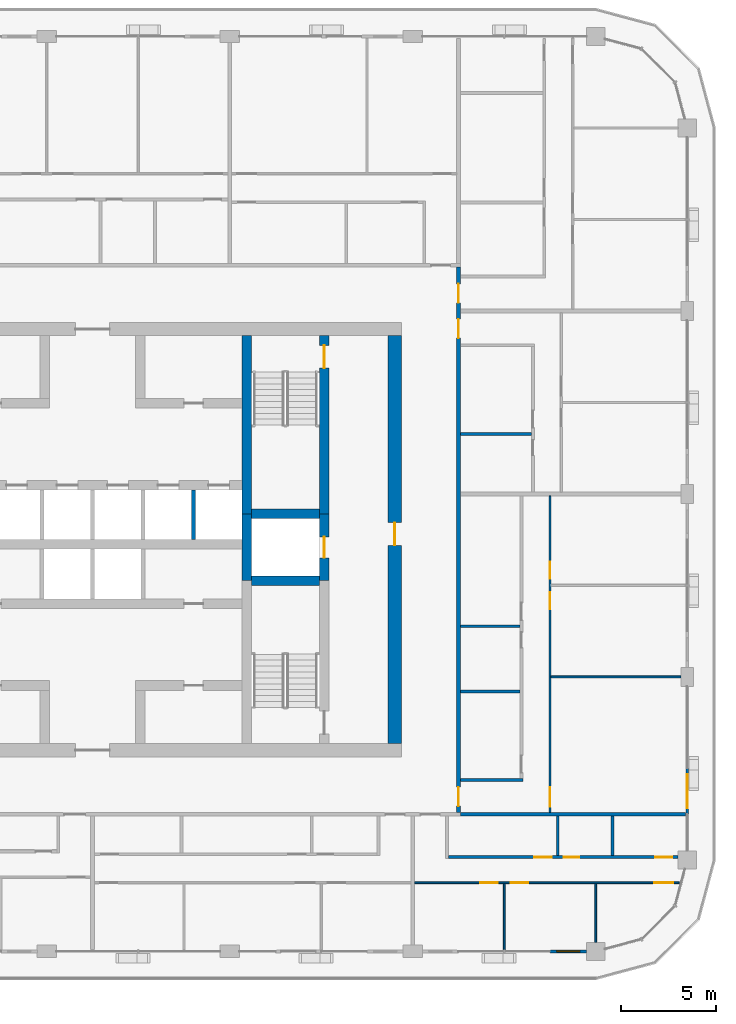
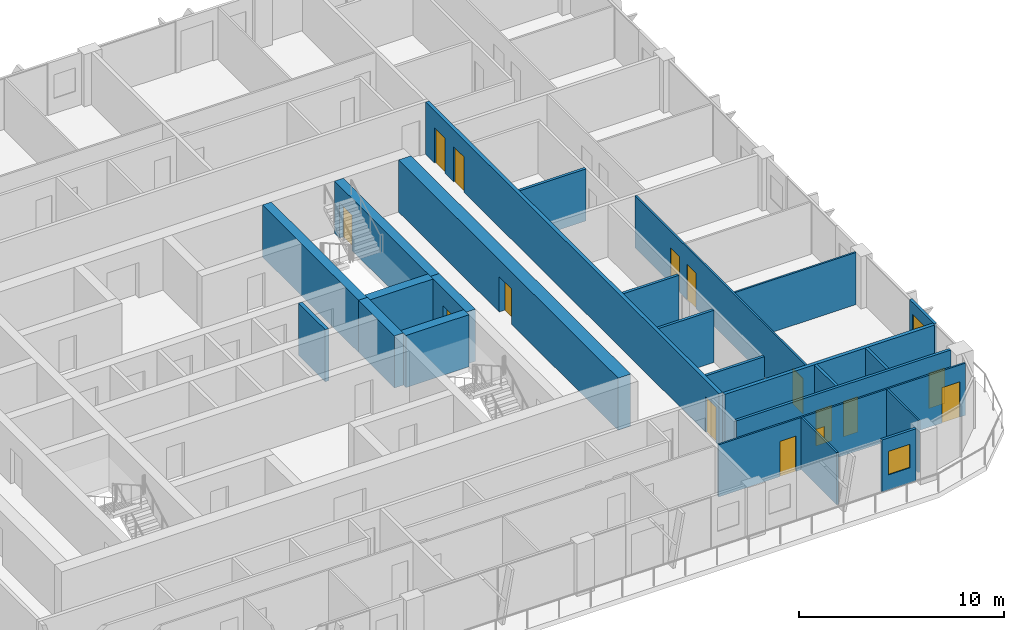
# One storey, part 12 of 22: 24 walls, 16 doors, 1 window, 17 openings.
"""IFC4 building model written with IfcOpenShell, lengths in metres."""

import ifcopenshell
import ifcopenshell.guid

model = None  # the IFC model being written
_history = None  # IfcOwnerHistory: only IFC2X3 demands one
_inside = {}  # id of a spatial element -> (the spatial element, [elements in it])
_under = {}  # id of a project, library or spatial element -> (it, [spatial elements below it])
_declared = {}  # id of a project -> (the project, [libraries it declares])
_typed = {}  # id of a type object -> (the type object, [elements of that type])
_made_of = {}  # id of a material, layer set ... -> (it, [elements and type objects made of it])


def new_model(schema):
    """Start an empty IFC model of exactly this schema.

    Asked for "IFC4X3", IfcOpenShell would pick the latest addendum, in which some entities
    have other attributes; the version numbers below select the first issue.
    IFC2X3 requires an IfcOwnerHistory on every rooted entity: one is made here for all.
    """
    global model, _history
    if schema == "IFC4X3":
        model = ifcopenshell.file(schema_version=(4, 3, 0, 0))
    else:
        model = ifcopenshell.file(schema=schema)
    _inside.clear()
    _under.clear()
    _declared.clear()
    _typed.clear()
    _made_of.clear()
    _history = None
    if model.schema == "IFC2X3":
        org = make("IfcOrganization", Name="unknown")
        user = make(
            "IfcPersonAndOrganization",
            ThePerson=make("IfcPerson", FamilyName="unknown"),
            TheOrganization=org,
        )
        app = make(
            "IfcApplication",
            ApplicationDeveloper=org,
            Version="unknown",
            ApplicationFullName="unknown",
            ApplicationIdentifier="unknown",
        )
        _history = make(
            "IfcOwnerHistory",
            OwningUser=user,
            OwningApplication=app,
            ChangeAction="ADDED",
            CreationDate=0,
        )
    return model


def make(cls, **values):
    """One entity of the class cls with the attributes given. An attribute that is None is left unset."""
    return model.create_entity(
        cls, **{name: value for name, value in values.items() if value is not None}
    )


def rooted(cls, **values):
    """An entity with a GlobalId (a new one), such as an element, a storey or a relation."""
    return make(cls, GlobalId=ifcopenshell.guid.new(), OwnerHistory=_history, **values)


def si_unit(unit_type, name, prefix=None):
    """IfcSIUnit, for example si_unit("LENGTHUNIT", "METRE", prefix="MILLI")."""
    return make("IfcSIUnit", UnitType=unit_type, Prefix=prefix, Name=name)


def assignment(units):
    """IfcUnitAssignment: the units of a project."""
    return None if units is None else make("IfcUnitAssignment", Units=units)


def point(xyz):
    """IfcCartesianPoint."""
    return None if xyz is None else make("IfcCartesianPoint", Coordinates=xyz)


def direction(xyz):
    """IfcDirection."""
    return None if xyz is None else make("IfcDirection", DirectionRatios=xyz)


def frame(location, z_axis=None, x_axis=None):
    """IfcAxis2Placement3D, a coordinate frame: its origin and axes. An axis left out is left unset."""
    return make(
        "IfcAxis2Placement3D",
        Location=point(location),
        Axis=direction(z_axis),
        RefDirection=direction(x_axis),
    )


def frame_2d(location, x_axis=None):
    """IfcAxis2Placement2D, a coordinate frame in the plane: its origin and x axis."""
    return make(
        "IfcAxis2Placement2D", Location=point(location), RefDirection=direction(x_axis)
    )


def origin():
    """The frame at (0, 0, 0) with its axes left unset."""
    return frame((0.0, 0.0, 0.0))


def place(relative_to, where):
    """IfcLocalPlacement: puts the frame where relative to a parent placement (None: the world)."""
    return make(
        "IfcLocalPlacement", PlacementRelTo=relative_to, RelativePlacement=where
    )


def context(
    kind, dimensions, precision=None, world=None, true_north=None, identifier=None
):
    """IfcGeometricRepresentationContext, for example the 3D "Model" context."""
    return make(
        "IfcGeometricRepresentationContext",
        ContextIdentifier=identifier,
        ContextType=kind,
        CoordinateSpaceDimension=dimensions,
        Precision=precision,
        WorldCoordinateSystem=world,
        TrueNorth=true_north,
    )


def subcontext(parent, identifier, kind, view, scale=None):
    """IfcGeometricRepresentationSubContext, for example "Body" below "Model"."""
    return make(
        "IfcGeometricRepresentationSubContext",
        ContextIdentifier=identifier,
        ContextType=kind,
        ParentContext=parent,
        TargetScale=scale,
        TargetView=view,
    )


def project(units=None, contexts=None):
    """IfcProject with its units and contexts."""
    return rooted(
        "IfcProject",
        Name="project",
        RepresentationContexts=contexts,
        UnitsInContext=assignment(units),
    )


def spatial(cls, under=None, at=None, **own):
    """A site, building, storey or space (cls), placed at a placement, below another one or the project."""
    s = rooted(cls, ObjectPlacement=at, **own)
    if under is not None:
        _under.setdefault(under.id(), (under, []))[1].append(s)
    return s


def profile(cls, at=None, kind="AREA", **sizes):
    """A parametric profile (cls). Its sizes go by their IFC names, for example OverallWidth=200.0."""
    return make(cls, ProfileType=kind, Position=at, **sizes)


def rectangle(**sizes):
    """IfcRectangleProfileDef."""
    return profile("IfcRectangleProfileDef", **sizes)


def extrude(swept, where, along, depth):
    """IfcExtrudedAreaSolid: the profile swept, set in the frame where, extruded along a direction by depth."""
    return make(
        "IfcExtrudedAreaSolid",
        SweptArea=swept,
        Position=where,
        ExtrudedDirection=direction(along),
        Depth=depth,
    )


def shape(context_of_items, identifier, shape_type, items):
    """IfcShapeRepresentation: the items that make up one representation, for example the "Body"."""
    return make(
        "IfcShapeRepresentation",
        ContextOfItems=context_of_items,
        RepresentationIdentifier=identifier,
        RepresentationType=shape_type,
        Items=items,
    )


def material(Name=None, Category=None):
    """IfcMaterial."""
    return make("IfcMaterial", Name=Name, Category=Category)


def layer(
    of_material, thickness, ventilated=None, Name=None, Category=None, Priority=None
):
    """IfcMaterialLayer: one layer of a wall or slab, of a material (None: an air gap)."""
    return make(
        "IfcMaterialLayer",
        Material=of_material,
        LayerThickness=thickness,
        IsVentilated=ventilated,
        Name=Name,
        Category=Category,
        Priority=Priority,
    )


def layer_set(layers, Name=None):
    """IfcMaterialLayerSet."""
    return make("IfcMaterialLayerSet", MaterialLayers=layers, LayerSetName=Name)


def made_of(thing, what):
    """Note that an element or type object is made of a material, layer set ...; save() writes the relation."""
    if what is not None:
        _made_of.setdefault(what.id(), (what, []))[1].append(thing)
    return thing


def type_object(cls, material=None, **own):
    """A type object (cls), such as IfcWallType, which elements share."""
    return made_of(rooted(cls, **own), material)


def element(
    cls,
    number,
    at=None,
    inside=None,
    cuts=None,
    type_object=None,
    material=None,
    context=None,
    identifier="Body",
    shape_type=None,
    held_by="IfcProductDefinitionShape",
    body=None,
    shapes=None,
    **own,
):
    """One element of the class cls, such as IfcWall. Its Tag is "e" and its number.

    at: its placement. inside: the storey or other place that contains it. cuts: it is an
    opening in that element (IfcRelVoidsElement). A single representation is given by context,
    identifier, shape_type and body (its items); several are given by shapes. held_by: the class
    of the entity that holds the representations. save() writes the other relations.
    """
    e = rooted(cls, Tag="e%d" % number, ObjectPlacement=at, **own)
    if body is not None:
        shapes = [shape(context, identifier, shape_type, body)]
    if shapes is not None:
        e.Representation = make(held_by, Representations=shapes)
    if inside is not None:
        _inside.setdefault(inside.id(), (inside, []))[1].append(e)
    if cuts is not None:
        rooted(
            "IfcRelVoidsElement", RelatingBuildingElement=cuts, RelatedOpeningElement=e
        )
    if type_object is not None:
        _typed.setdefault(type_object.id(), (type_object, []))[1].append(e)
    return made_of(e, material)


def fill(opening, filler):
    """IfcRelFillsElement: the door or window that sits in an opening."""
    return rooted(
        "IfcRelFillsElement",
        RelatingOpeningElement=opening,
        RelatedBuildingElement=filler,
    )


def aggregate(whole, parts):
    """IfcRelAggregates: a whole, such as a stair, and the parts it consists of."""
    return rooted("IfcRelAggregates", RelatingObject=whole, RelatedObjects=parts)


def save(model, path):
    """Write the relations noted so far, then the file.

    IfcRelAggregates (storeys below a building ...), IfcRelContainedInSpatialStructure (elements
    in a storey), IfcRelDefinesByType, IfcRelAssociatesMaterial and IfcRelDeclares: one each for
    every whole, place, type object, material and project.
    """
    for whole, parts in _under.values():
        aggregate(whole, parts)
    for where, things in _inside.values():
        rooted(
            "IfcRelContainedInSpatialStructure",
            RelatedElements=things,
            RelatingStructure=where,
        )
    for kind, things in _typed.values():
        rooted("IfcRelDefinesByType", RelatedObjects=things, RelatingType=kind)
    for what, things in _made_of.values():
        rooted("IfcRelAssociatesMaterial", RelatedObjects=things, RelatingMaterial=what)
    for by, libraries in _declared.values():
        rooted("IfcRelDeclares", RelatingContext=by, RelatedDefinitions=libraries)
    model.write(path)


model = new_model("IFC4")

# Units and contexts
model_context = context("Model", 3, precision=1e-05, world=origin(), true_north=direction((0.0, 1.0)))
body_context = subcontext(model_context, "Body", "Model", "MODEL_VIEW")
ifc_project = project(units=[si_unit("LENGTHUNIT", "METRE"), si_unit("AREAUNIT", "SQUARE_METRE"), si_unit("VOLUMEUNIT", "CUBIC_METRE"), si_unit("PLANEANGLEUNIT", "RADIAN"), si_unit("MASSUNIT", "GRAM", prefix="KILO")], contexts=[model_context])

# Site, building, storey
site_placement = place(None, origin())
site = spatial("IfcSite", under=ifc_project, at=site_placement, CompositionType="ELEMENT")
building_placement = place(site_placement, origin())
building = spatial("IfcBuilding", under=site, at=building_placement, Name="Madar Terraces", CompositionType="ELEMENT")
storey_placement = place(building_placement, frame((0.0, 0.0, 229.800048828125)))
storey = spatial("IfcBuildingStorey", under=building, at=storey_placement, Name="L60", CompositionType="ELEMENT", Elevation=229.800048828125)

# Walls
ifc_material_1 = material(Name="Concrete C60/75", Category="concrete")
ifc_layer_1 = layer(ifc_material_1, 0.5)
ifc_layer_set_1 = layer_set([ifc_layer_1], Name="Concrete C60/75 (CIW4 RC wall 500)")
wall_type_1 = type_object("IfcWallType", Name="CIW4 RC wall 500", PredefinedType="SHEAR", material=ifc_layer_set_1)
wall_1_placement = place(storey_placement, frame((39.300048828125, 24.25, 0.0), z_axis=(0.0, 0.0, 1.0), x_axis=(0.0, 1.0, 0.0)))
element("IfcWall", 1, at=wall_1_placement, inside=storey, type_object=wall_type_1, Name="CORE SHAFT WALL", PredefinedType="SHEAR", context=body_context, shape_type="SweptSolid", body=[
    extrude(rectangle(XDim=3.5, YDim=0.5, at=frame_2d((1.75, 0.0))), origin(), (0.0, 0.0, 1.0), 3.099853515625),
])
wall_2_placement = place(storey_placement, frame((39.300048828125, 27.75, 0.0), z_axis=(0.0, 0.0, 1.0), x_axis=(0.0, 1.0, 0.0)))
element("IfcWall", 2, at=wall_2_placement, inside=storey, type_object=wall_type_1, Name="CORE SHAFT WALL", PredefinedType="SHEAR", context=body_context, shape_type="SweptSolid", body=[
    extrude(rectangle(XDim=9.35009765625, YDim=0.5, at=frame_2d((4.675048828125, 0.0))), origin(), (0.0, 0.0, 1.0), 3.099853515625),
])

# Wall, opening, door
wall_3_placement = place(storey_placement, frame((43.35009765625, 24.25, 0.0), z_axis=(0.0, 0.0, 1.0), x_axis=(0.0, 1.0, 0.0)))
wall_3 = element("IfcWall", 3, at=wall_3_placement, inside=storey, type_object=wall_type_1, Name="CORE SHAFT WALL", PredefinedType="SHEAR", context=body_context, shape_type="SweptSolid", body=[
    extrude(rectangle(XDim=3.5, YDim=0.5, at=frame_2d((1.75, 0.0))), origin(), (0.0, 0.0, 1.0), 3.099853515625),
])
opening_1_placement = place(wall_3_placement, frame((1.199951171875, 0.0, 0.0)))
opening_1 = element("IfcOpeningElement", 4, at=opening_1_placement, cuts=wall_3, Name="Opening LD", PredefinedType="OPENING", context=body_context, shape_type="SweptSolid", body=[
    extrude(rectangle(XDim=1.10009765625, YDim=2.10009765625, at=frame_2d((0.550048828125, 1.050048828125))), frame((0.0, 0.260009765625, 0.0), z_axis=(0.0, -1.0, 0.0), x_axis=(1.0, 0.0, 0.0)), (0.0, 0.0, 1.0), 0.52001953125),
])
ifc_material_2 = material(Name="Stainless steel panel", Category="steel")
door_type_1 = type_object("IfcDoorType", Name="Lift landing door 1100 x 2100", OperationType="DOUBLE_DOOR_SLIDING", PredefinedType="DOOR", material=ifc_material_2)
door_1_placement = place(opening_1_placement, origin())
door_1 = element("IfcDoor", 5, at=door_1_placement, inside=storey, type_object=door_type_1, Name="LIFT LANDING DOOR", OperationType="DOUBLE_DOOR_SLIDING", OverallHeight=2.10009765625, OverallWidth=1.10009765625, PredefinedType="DOOR", context=body_context, shape_type="SweptSolid", body=[
    extrude(rectangle(XDim=1.10009765625, YDim=2.10009765625, at=frame_2d((0.550048828125, 1.050048828125))), frame((0.0, 0.02490234375, 0.0), z_axis=(0.0, -1.0, 0.0), x_axis=(1.0, 0.0, 0.0)), (0.0, 0.0, 1.0), 0.050048828125),
])
fill(opening_1, door_1)

wall_4_placement = place(storey_placement, frame((43.35009765625, 27.75, 0.0), z_axis=(0.0, 0.0, 1.0), x_axis=(0.0, 1.0, 0.0)))
wall_4 = element("IfcWall", 6, at=wall_4_placement, inside=storey, type_object=wall_type_1, Name="CORE SHAFT WALL", PredefinedType="SHEAR", context=body_context, shape_type="SweptSolid", body=[
    extrude(rectangle(XDim=9.35009765625, YDim=0.5, at=frame_2d((4.675048828125, 0.0))), origin(), (0.0, 0.0, 1.0), 3.099853515625),
])
opening_2_placement = place(wall_4_placement, frame((7.64990234375, 0.0, 0.0)))
opening_2 = element("IfcOpeningElement", 7, at=opening_2_placement, cuts=wall_4, Name="Opening SD1", PredefinedType="OPENING", context=body_context, shape_type="SweptSolid", body=[
    extrude(rectangle(XDim=1.199951171875, YDim=2.10009765625, at=frame_2d((0.60009765625, 1.050048828125))), frame((0.0, 0.260009765625, 0.0), z_axis=(0.0, -1.0, 0.0), x_axis=(1.0, 0.0, 0.0)), (0.0, 0.0, 1.0), 0.52001953125),
])
ifc_material_3 = material(Name="Steel door leaf", Category="steel")
door_type_2 = type_object("IfcDoorType", Name="Stair door 1200 x 2100", OperationType="NOTDEFINED", PredefinedType="DOOR", material=ifc_material_3)
door_2_placement = place(opening_2_placement, origin())
door_2 = element("IfcDoor", 8, at=door_2_placement, inside=storey, type_object=door_type_2, Name="STAIR DOOR", OperationType="SINGLE_SWING_RIGHT", OverallHeight=2.10009765625, OverallWidth=1.199951171875, PredefinedType="DOOR", context=body_context, shape_type="SweptSolid", body=[
    extrude(rectangle(XDim=1.199951171875, YDim=2.10009765625, at=frame_2d((0.60009765625, 1.050048828125))), frame((0.0, 0.02490234375, 0.0), z_axis=(0.0, -1.0, 0.0), x_axis=(1.0, 0.0, 0.0)), (0.0, 0.0, 1.0), 0.050048828125),
])
fill(opening_2, door_2)

# Walls
for number, where, z_axis, x_axis, name in (
    (9, (39.550048828125, 24.25, 0.0), (0.0, 0.0, 1.0), (1.0, 0.0, 0.0), "CORE SHAFT WALL"),
    (10, (39.550048828125, 27.75, 0.0), (0.0, 0.0, 1.0), (1.0, 0.0, 0.0), "CORE SHAFT WALL"),
):
    element("IfcWall", number, at=place(storey_placement, frame(where, z_axis=z_axis, x_axis=x_axis)), inside=storey, type_object=wall_type_1, Name=name, PredefinedType="SHEAR", context=body_context, shape_type="SweptSolid", body=[
        extrude(rectangle(XDim=3.550048828125, YDim=0.5, at=frame_2d((1.77490234375, 0.0))), origin(), (0.0, 0.0, 1.0), 3.099853515625),
    ])

# Wall, opening, door
ifc_material_4 = material(Name="Concrete C60/75", Category="concrete")
ifc_layer_2 = layer(ifc_material_4, 0.699951171875)
ifc_layer_set_2 = layer_set([ifc_layer_2], Name="Concrete C60/75 (CRW4 RC wall 700)")
wall_type_2 = type_object("IfcWallType", Name="CRW4 RC wall 700", PredefinedType="SHEAR", material=ifc_layer_set_2)
wall_5_placement = place(storey_placement, frame((47.050048828125, 15.699951171875, 0.0), z_axis=(0.0, 0.0, 1.0), x_axis=(0.0, 1.0, 0.0)))
wall_5 = element("IfcWall", 11, at=wall_5_placement, inside=storey, type_object=wall_type_2, Name="CORE OUTER WALL", PredefinedType="SHEAR", context=body_context, shape_type="SweptSolid", body=[
    extrude(rectangle(XDim=21.400146484375, YDim=0.699951171875, at=frame_2d((10.7001953125, 0.0))), origin(), (0.0, 0.0, 1.0), 3.099853515625),
])
opening_3_placement = place(wall_5_placement, frame((10.39990234375, 0.0, 0.0)))
opening_3 = element("IfcOpeningElement", 12, at=opening_3_placement, cuts=wall_5, Name="Opening SD1", PredefinedType="OPENING", context=body_context, shape_type="SweptSolid", body=[
    extrude(rectangle(XDim=1.199951171875, YDim=2.10009765625, at=frame_2d((0.60009765625, 1.050048828125))), frame((0.0, 0.35986328125, 0.0), z_axis=(0.0, -1.0, 0.0), x_axis=(1.0, 0.0, 0.0)), (0.0, 0.0, 1.0), 0.719970703125),
])
door_3_placement = place(opening_3_placement, origin())
door_3 = element("IfcDoor", 13, at=door_3_placement, inside=storey, type_object=door_type_2, Name="STAIR DOOR", OperationType="SINGLE_SWING_RIGHT", OverallHeight=2.10009765625, OverallWidth=1.199951171875, PredefinedType="DOOR", context=body_context, shape_type="SweptSolid", body=[
    extrude(rectangle(XDim=1.199951171875, YDim=2.10009765625, at=frame_2d((0.60009765625, 1.050048828125))), frame((0.0, 0.02490234375, 0.0), z_axis=(0.0, -1.0, 0.0), x_axis=(1.0, 0.0, 0.0)), (0.0, 0.0, 1.0), 0.050048828125),
])
fill(opening_3, door_3)

# Wall
ifc_material_5 = material(Name="Concrete C40/50", Category="concrete")
ifc_layer_3 = layer(ifc_material_5, 0.199951171875)
ifc_layer_set_3 = layer_set([ifc_layer_3], Name="Core shaft dividing wall 200 C40/50")
wall_type_3 = type_object("IfcWallType", Name="Core shaft dividing wall 200 C40/50", PredefinedType="SOLIDWALL", material=ifc_layer_set_3)
wall_6_placement = place(storey_placement, frame((36.5, 26.39990234375, 0.0), z_axis=(0.0, 0.0, 1.0), x_axis=(0.0, 1.0, 0.0)))
element("IfcWall", 14, at=wall_6_placement, inside=storey, type_object=wall_type_3, Name="SHAFT DIVIDING WALL", PredefinedType="SOLIDWALL", context=body_context, shape_type="SweptSolid", body=[
    extrude(rectangle(XDim=2.60009765625, YDim=0.199951171875, at=frame_2d((1.300048828125, 0.0))), origin(), (0.0, 0.0, 1.0), 3.099853515625),
])

# Wall, opening, window
ifc_material_6 = material(Name="Aluminium composite panel, black, over insulated backing", Category="aluminium")
ifc_layer_4 = layer(ifc_material_6, 0.14990234375)
ifc_layer_set_4 = layer_set([ifc_layer_4], Name="Facade bay panel 150")
wall_type_4 = type_object("IfcWallType", Name="Facade bay panel 150", PredefinedType="SOLIDWALL", material=ifc_layer_set_4)
wall_7_placement = place(storey_placement, frame((55.199951171875, 4.800048828125, 0.0), z_axis=(0.0, 0.0, 1.0), x_axis=(1.0, 0.0, 0.0)))
wall_7 = element("IfcWall", 15, at=wall_7_placement, inside=storey, type_object=wall_type_4, Name="Facade bay panel", PredefinedType="SOLIDWALL", context=body_context, shape_type="SweptSolid", body=[
    extrude(rectangle(XDim=1.925048828125, YDim=0.14990234375, at=frame_2d((0.96240234375, 0.0))), origin(), (0.0, 0.0, 1.0), 3.099853515625),
])
opening_4_placement = place(wall_7_placement, frame((0.362548828125, 0.0, 0.89990234375)))
opening_4 = element("IfcOpeningElement", 16, at=opening_4_placement, cuts=wall_7, Name="Opening W1", PredefinedType="OPENING", context=body_context, shape_type="SweptSolid", body=[
    extrude(rectangle(XDim=1.199951171875, YDim=1.39990234375, at=frame_2d((0.60009765625, 0.699951171875))), frame((0.0, 0.0849609375, 0.0), z_axis=(0.0, -1.0, 0.0), x_axis=(1.0, 0.0, 0.0)), (0.0, 0.0, 1.0), 0.169921875),
])
ifc_material_7 = material(Name="Glass, clear, with black aluminium frame", Category="aluminium")
window_type = type_object("IfcWindowType", Name="Vent window 1200 x 1400", PartitioningType="SINGLE_PANEL", PredefinedType="WINDOW", material=ifc_material_7)
window_placement = place(opening_4_placement, origin())
window = element("IfcWindow", 17, at=window_placement, inside=storey, type_object=window_type, Name="Operable vent window", OverallHeight=1.39990234375, OverallWidth=1.199951171875, PartitioningType="SINGLE_PANEL", PredefinedType="WINDOW", context=body_context, shape_type="SweptSolid", body=[
    extrude(rectangle(XDim=1.199951171875, YDim=1.39990234375, at=frame_2d((0.60009765625, 0.699951171875))), frame((0.0, 0.030029296875, 0.0), z_axis=(0.0, -1.0, 0.0), x_axis=(1.0, 0.0, 0.0)), (0.0, 0.0, 1.0), 0.06005859375),
])
fill(opening_4, window)

# Wall, opening, door
wall_8_placement = place(storey_placement, frame((62.39990234375, 12.0, 0.0), z_axis=(0.0, 0.0, 1.0), x_axis=(0.0, 1.0, 0.0)))
wall_8 = element("IfcWall", 18, at=wall_8_placement, inside=storey, type_object=wall_type_4, Name="Facade bay panel", PredefinedType="SOLIDWALL", context=body_context, shape_type="SweptSolid", body=[
    extrude(rectangle(XDim=2.39990234375, YDim=0.14990234375, at=frame_2d((1.199951171875, 0.0))), origin(), (0.0, 0.0, 1.0), 3.099853515625),
])
opening_5_placement = place(wall_8_placement, frame((0.300048828125, 0.0, 0.0)))
opening_5 = element("IfcOpeningElement", 19, at=opening_5_placement, cuts=wall_8, Name="Opening ED1", PredefinedType="OPENING", context=body_context, shape_type="SweptSolid", body=[
    extrude(rectangle(XDim=1.800048828125, YDim=2.39990234375, at=frame_2d((0.89990234375, 1.199951171875))), frame((0.0, 0.0849609375, 0.0), z_axis=(0.0, -1.0, 0.0), x_axis=(1.0, 0.0, 0.0)), (0.0, 0.0, 1.0), 0.169921875),
])
ifc_material_8 = material(Name="Glass, clear, with black aluminium frame", Category="aluminium")
door_type_3 = type_object("IfcDoorType", Name="Balcony and terrace sliding door 1800 x 2400", OperationType="SLIDING_TO_LEFT", PredefinedType="DOOR", material=ifc_material_8)
door_4_placement = place(opening_5_placement, origin())
door_4 = element("IfcDoor", 20, at=door_4_placement, inside=storey, type_object=door_type_3, Name="Balcony door", OperationType="SLIDING_TO_RIGHT", OverallHeight=2.39990234375, OverallWidth=1.800048828125, PredefinedType="DOOR", context=body_context, shape_type="SweptSolid", body=[
    extrude(rectangle(XDim=1.800048828125, YDim=2.39990234375, at=frame_2d((0.89990234375, 1.199951171875))), frame((0.0, 0.02490234375, 0.0), z_axis=(0.0, -1.0, 0.0), x_axis=(1.0, 0.0, 0.0)), (0.0, 0.0, 1.0), 0.050048828125),
])
fill(opening_5, door_4)

# Walls
ifc_material_9 = material(Name="Gypsum board on steel studs", Category="steel")
ifc_layer_5 = layer(ifc_material_9, 0.10009765625)
ifc_layer_set_5 = layer_set([ifc_layer_5], Name="Flat partition 100")
wall_type_5 = type_object("IfcWallType", Name="Flat partition 100", PredefinedType="PARTITIONING", material=ifc_layer_set_5)
wall_9_placement = place(storey_placement, frame((52.800048828125, 8.35009765625, 0.0), z_axis=(0.0, 0.0, 1.0), x_axis=(0.0, -1.0, 0.0)))
element("IfcWall", 21, at=wall_9_placement, inside=storey, type_object=wall_type_5, Name="Flat partition 100", PredefinedType="PARTITIONING", context=body_context, shape_type="SweptSolid", body=[
    extrude(rectangle(XDim=3.4501953125, YDim=0.10009765625, at=frame_2d((1.72509765625, 0.0))), origin(), (0.0, 0.0, 1.0), 3.099853515625),
])
wall_10_placement = place(storey_placement, frame((57.60009765625, 8.35009765625, 0.0), z_axis=(0.0, 0.0, 1.0), x_axis=(0.0, -1.0, 0.0)))
element("IfcWall", 22, at=wall_10_placement, inside=storey, type_object=wall_type_5, Name="Flat partition 100", PredefinedType="PARTITIONING", context=body_context, shape_type="SweptSolid", body=[
    extrude(rectangle(XDim=3.0751953125, YDim=0.10009765625, at=frame_2d((1.53759765625, 0.0))), origin(), (0.0, 0.0, 1.0), 3.099853515625),
])

# Wall, openings, doors
wall_11_placement = place(storey_placement, frame((61.978515625, 8.39990234375, 0.0), z_axis=(0.0, 0.0, 1.0), x_axis=(-1.0, 0.0, 0.0)))
wall_11 = element("IfcWall", 23, at=wall_11_placement, inside=storey, type_object=wall_type_5, Name="Flat partition 100", PredefinedType="PARTITIONING", context=body_context, shape_type="SweptSolid", body=[
    extrude(rectangle(XDim=13.87841796875, YDim=0.10009765625, at=frame_2d((6.939208984375, 0.0))), origin(), (0.0, 0.0, 1.0), 3.099853515625),
])
opening_6_placement = place(wall_11_placement, frame((9.528564453125, 0.0, 0.0)))
opening_6 = element("IfcOpeningElement", 24, at=opening_6_placement, cuts=wall_11, Name="Opening D2", PredefinedType="OPENING", context=body_context, shape_type="SweptSolid", body=[
    extrude(rectangle(XDim=0.89990234375, YDim=2.10009765625, at=frame_2d((0.449951171875, 1.050048828125))), frame((0.0, 0.06005859375, 0.0), z_axis=(0.0, -1.0, 0.0), x_axis=(1.0, 0.0, 0.0)), (0.0, 0.0, 1.0), 0.1201171875),
])
opening_7_placement = place(wall_11_placement, frame((7.928466796875, 0.0, 0.0)))
opening_7 = element("IfcOpeningElement", 25, at=opening_7_placement, cuts=wall_11, Name="Opening D2", PredefinedType="OPENING", context=body_context, shape_type="SweptSolid", body=[
    extrude(rectangle(XDim=0.89990234375, YDim=2.10009765625, at=frame_2d((0.449951171875, 1.050048828125))), frame((0.0, 0.06005859375, 0.0), z_axis=(0.0, -1.0, 0.0), x_axis=(1.0, 0.0, 0.0)), (0.0, 0.0, 1.0), 0.1201171875),
])
opening_8_placement = place(wall_11_placement, frame((0.300048828125, 0.0, 0.0)))
opening_8 = element("IfcOpeningElement", 26, at=opening_8_placement, cuts=wall_11, Name="Opening D3", PredefinedType="OPENING", context=body_context, shape_type="SweptSolid", body=[
    extrude(rectangle(XDim=1.0, YDim=2.10009765625, at=frame_2d((0.5, 1.050048828125))), frame((0.0, 0.06005859375, 0.0), z_axis=(0.0, -1.0, 0.0), x_axis=(1.0, 0.0, 0.0)), (0.0, 0.0, 1.0), 0.1201171875),
])
ifc_material_10 = material(Name="Timber door leaf", Category="wood")
door_type_4 = type_object("IfcDoorType", Name="Flat living room door 1000", OperationType="NOTDEFINED", PredefinedType="DOOR", material=ifc_material_10)
door_5_placement = place(opening_8_placement, origin())
door_5 = element("IfcDoor", 27, at=door_5_placement, inside=storey, type_object=door_type_4, Name="Flat living room door 1000", OperationType="SINGLE_SWING_LEFT", OverallHeight=2.10009765625, OverallWidth=1.0, PredefinedType="DOOR", context=body_context, shape_type="SweptSolid", body=[
    extrude(rectangle(XDim=1.0, YDim=2.10009765625, at=frame_2d((0.5, 1.050048828125))), frame((0.0, 0.02490234375, 0.0), z_axis=(0.0, -1.0, 0.0), x_axis=(1.0, 0.0, 0.0)), (0.0, 0.0, 1.0), 0.050048828125),
])
fill(opening_8, door_5)
ifc_material_11 = material(Name="Timber door leaf", Category="wood")
door_type_5 = type_object("IfcDoorType", Name="Flat room door 900", OperationType="NOTDEFINED", PredefinedType="DOOR", material=ifc_material_11)
door_6_placement = place(opening_6_placement, origin())
door_6 = element("IfcDoor", 28, at=door_6_placement, inside=storey, type_object=door_type_5, Name="Flat room door 900", OperationType="SINGLE_SWING_LEFT", OverallHeight=2.10009765625, OverallWidth=0.89990234375, PredefinedType="DOOR", context=body_context, shape_type="SweptSolid", body=[
    extrude(rectangle(XDim=0.89990234375, YDim=2.10009765625, at=frame_2d((0.449951171875, 1.050048828125))), frame((0.0, 0.02490234375, 0.0), z_axis=(0.0, -1.0, 0.0), x_axis=(1.0, 0.0, 0.0)), (0.0, 0.0, 1.0), 0.050048828125),
])
fill(opening_6, door_6)
door_7_placement = place(opening_7_placement, origin())
door_7 = element("IfcDoor", 29, at=door_7_placement, inside=storey, type_object=door_type_5, Name="Flat room door 900", OperationType="SINGLE_SWING_RIGHT", OverallHeight=2.10009765625, OverallWidth=0.89990234375, PredefinedType="DOOR", context=body_context, shape_type="SweptSolid", body=[
    extrude(rectangle(XDim=0.89990234375, YDim=2.10009765625, at=frame_2d((0.449951171875, 1.050048828125))), frame((0.0, 0.02490234375, 0.0), z_axis=(0.0, -1.0, 0.0), x_axis=(1.0, 0.0, 0.0)), (0.0, 0.0, 1.0), 0.050048828125),
])
fill(opening_7, door_7)

# Wall
wall_12_placement = place(storey_placement, frame((55.25, 19.199951171875, 0.0), z_axis=(0.0, 0.0, 1.0), x_axis=(1.0, 0.0, 0.0)))
element("IfcWall", 30, at=wall_12_placement, inside=storey, type_object=wall_type_5, Name="Flat partition 100", PredefinedType="PARTITIONING", context=body_context, shape_type="SweptSolid", body=[
    extrude(rectangle(XDim=6.824951171875, YDim=0.10009765625, at=frame_2d((3.41259765625, 0.0))), origin(), (0.0, 0.0, 1.0), 3.099853515625),
])

# Wall, openings, doors
wall_13_placement = place(storey_placement, frame((55.199951171875, 28.699951171875, 0.0), z_axis=(0.0, 0.0, 1.0), x_axis=(0.0, -1.0, 0.0)))
wall_13 = element("IfcWall", 31, at=wall_13_placement, inside=storey, type_object=wall_type_5, Name="Flat partition 100", PredefinedType="PARTITIONING", context=body_context, shape_type="SweptSolid", body=[
    extrude(rectangle(XDim=16.599853515625, YDim=0.10009765625, at=frame_2d((8.2998046875, 0.0))), origin(), (0.0, 0.0, 1.0), 3.099853515625),
])
opening_9_placement = place(wall_13_placement, frame((15.300048828125, 0.0, 0.0)))
opening_9 = element("IfcOpeningElement", 32, at=opening_9_placement, cuts=wall_13, Name="Opening D3", PredefinedType="OPENING", context=body_context, shape_type="SweptSolid", body=[
    extrude(rectangle(XDim=1.0, YDim=2.10009765625, at=frame_2d((0.5, 1.050048828125))), frame((0.0, 0.06005859375, 0.0), z_axis=(0.0, -1.0, 0.0), x_axis=(1.0, 0.0, 0.0)), (0.0, 0.0, 1.0), 0.1201171875),
])
opening_10_placement = place(wall_13_placement, frame((5.050048828125, 0.0, 0.0)))
opening_10 = element("IfcOpeningElement", 33, at=opening_10_placement, cuts=wall_13, Name="Opening D2", PredefinedType="OPENING", context=body_context, shape_type="SweptSolid", body=[
    extrude(rectangle(XDim=0.89990234375, YDim=2.10009765625, at=frame_2d((0.449951171875, 1.050048828125))), frame((0.0, 0.06005859375, 0.0), z_axis=(0.0, -1.0, 0.0), x_axis=(1.0, 0.0, 0.0)), (0.0, 0.0, 1.0), 0.1201171875),
])
opening_11_placement = place(wall_13_placement, frame((3.449951171875, 0.0, 0.0)))
opening_11 = element("IfcOpeningElement", 34, at=opening_11_placement, cuts=wall_13, Name="Opening D2", PredefinedType="OPENING", context=body_context, shape_type="SweptSolid", body=[
    extrude(rectangle(XDim=0.89990234375, YDim=2.10009765625, at=frame_2d((0.449951171875, 1.050048828125))), frame((0.0, 0.06005859375, 0.0), z_axis=(0.0, -1.0, 0.0), x_axis=(1.0, 0.0, 0.0)), (0.0, 0.0, 1.0), 0.1201171875),
])
door_8_placement = place(opening_9_placement, origin())
door_8 = element("IfcDoor", 35, at=door_8_placement, inside=storey, type_object=door_type_4, Name="Flat living room door 1000", OperationType="SINGLE_SWING_RIGHT", OverallHeight=2.10009765625, OverallWidth=1.0, PredefinedType="DOOR", context=body_context, shape_type="SweptSolid", body=[
    extrude(rectangle(XDim=1.0, YDim=2.10009765625, at=frame_2d((0.5, 1.050048828125))), frame((0.0, 0.02490234375, 0.0), z_axis=(0.0, -1.0, 0.0), x_axis=(1.0, 0.0, 0.0)), (0.0, 0.0, 1.0), 0.050048828125),
])
fill(opening_9, door_8)
door_9_placement = place(opening_10_placement, origin())
door_9 = element("IfcDoor", 36, at=door_9_placement, inside=storey, type_object=door_type_5, Name="Flat room door 900", OperationType="SINGLE_SWING_LEFT", OverallHeight=2.10009765625, OverallWidth=0.89990234375, PredefinedType="DOOR", context=body_context, shape_type="SweptSolid", body=[
    extrude(rectangle(XDim=0.89990234375, YDim=2.10009765625, at=frame_2d((0.449951171875, 1.050048828125))), frame((0.0, 0.02490234375, 0.0), z_axis=(0.0, -1.0, 0.0), x_axis=(1.0, 0.0, 0.0)), (0.0, 0.0, 1.0), 0.050048828125),
])
fill(opening_10, door_9)
door_10_placement = place(opening_11_placement, origin())
door_10 = element("IfcDoor", 37, at=door_10_placement, inside=storey, type_object=door_type_5, Name="Flat room door 900", OperationType="SINGLE_SWING_RIGHT", OverallHeight=2.10009765625, OverallWidth=0.89990234375, PredefinedType="DOOR", context=body_context, shape_type="SweptSolid", body=[
    extrude(rectangle(XDim=0.89990234375, YDim=2.10009765625, at=frame_2d((0.449951171875, 1.050048828125))), frame((0.0, 0.02490234375, 0.0), z_axis=(0.0, -1.0, 0.0), x_axis=(1.0, 0.0, 0.0)), (0.0, 0.0, 1.0), 0.050048828125),
])
fill(opening_11, door_10)

ifc_material_12 = material(Name="Lightweight blockwork", Category="masonry")
ifc_layer_6 = layer(ifc_material_12, 0.199951171875)
ifc_layer_set_6 = layer_set([ifc_layer_6], Name="Flat party and entrance wall 200")
wall_type_6 = type_object("IfcWallType", Name="Flat party and entrance wall 200", PredefinedType="PARTITIONING", material=ifc_layer_set_6)
wall_14_placement = place(storey_placement, frame((50.39990234375, 40.699951171875, 0.0), z_axis=(0.0, 0.0, 1.0), x_axis=(0.0, -1.0, 0.0)))
wall_14 = element("IfcWall", 38, at=wall_14_placement, inside=storey, type_object=wall_type_6, Name="Flat party and entrance wall 200", PredefinedType="PARTITIONING", context=body_context, shape_type="SweptSolid", body=[
    extrude(rectangle(XDim=28.599853515625, YDim=0.199951171875, at=frame_2d((14.2998046875, 0.0))), origin(), (0.0, 0.0, 1.0), 3.099853515625),
])
opening_12_placement = place(wall_14_placement, frame((27.27490234375, 0.0, 0.0)))
opening_12 = element("IfcOpeningElement", 39, at=opening_12_placement, cuts=wall_14, Name="Opening D1", PredefinedType="OPENING", context=body_context, shape_type="SweptSolid", body=[
    extrude(rectangle(XDim=1.0, YDim=2.10009765625, at=frame_2d((0.5, 1.050048828125))), frame((0.0, 0.10986328125, 0.0), z_axis=(0.0, -1.0, 0.0), x_axis=(1.0, 0.0, 0.0)), (0.0, 0.0, 1.0), 0.219970703125),
])
opening_13_placement = place(wall_14_placement, frame((2.72509765625, 0.0, 0.0)))
opening_13 = element("IfcOpeningElement", 40, at=opening_13_placement, cuts=wall_14, Name="Opening D1", PredefinedType="OPENING", context=body_context, shape_type="SweptSolid", body=[
    extrude(rectangle(XDim=1.0, YDim=2.10009765625, at=frame_2d((0.5, 1.050048828125))), frame((0.0, 0.10986328125, 0.0), z_axis=(0.0, -1.0, 0.0), x_axis=(1.0, 0.0, 0.0)), (0.0, 0.0, 1.0), 0.219970703125),
])
opening_14_placement = place(wall_14_placement, frame((0.875, 0.0, 0.0)))
opening_14 = element("IfcOpeningElement", 41, at=opening_14_placement, cuts=wall_14, Name="Opening D1", PredefinedType="OPENING", context=body_context, shape_type="SweptSolid", body=[
    extrude(rectangle(XDim=1.0, YDim=2.10009765625, at=frame_2d((0.5, 1.050048828125))), frame((0.0, 0.10986328125, 0.0), z_axis=(0.0, -1.0, 0.0), x_axis=(1.0, 0.0, 0.0)), (0.0, 0.0, 1.0), 0.219970703125),
])
ifc_material_13 = material(Name="Timber fire door leaf", Category="wood")
door_type_6 = type_object("IfcDoorType", Name="Flat entrance door 1000 FD30S", OperationType="NOTDEFINED", PredefinedType="DOOR", material=ifc_material_13)
door_11_placement = place(opening_12_placement, origin())
door_11 = element("IfcDoor", 42, at=door_11_placement, inside=storey, type_object=door_type_6, Name="Flat entrance door 1000 FD30S", OperationType="SINGLE_SWING_RIGHT", OverallHeight=2.10009765625, OverallWidth=1.0, PredefinedType="DOOR", context=body_context, shape_type="SweptSolid", body=[
    extrude(rectangle(XDim=1.0, YDim=2.10009765625, at=frame_2d((0.5, 1.050048828125))), frame((0.0, 0.02490234375, 0.0), z_axis=(0.0, -1.0, 0.0), x_axis=(1.0, 0.0, 0.0)), (0.0, 0.0, 1.0), 0.050048828125),
])
fill(opening_12, door_11)
door_12_placement = place(opening_13_placement, origin())
door_12 = element("IfcDoor", 43, at=door_12_placement, inside=storey, type_object=door_type_6, Name="Flat entrance door 1000 FD30S", OperationType="SINGLE_SWING_LEFT", OverallHeight=2.10009765625, OverallWidth=1.0, PredefinedType="DOOR", context=body_context, shape_type="SweptSolid", body=[
    extrude(rectangle(XDim=1.0, YDim=2.10009765625, at=frame_2d((0.5, 1.050048828125))), frame((0.0, 0.02490234375, 0.0), z_axis=(0.0, -1.0, 0.0), x_axis=(1.0, 0.0, 0.0)), (0.0, 0.0, 1.0), 0.050048828125),
])
fill(opening_13, door_12)
door_13_placement = place(opening_14_placement, origin())
door_13 = element("IfcDoor", 44, at=door_13_placement, inside=storey, type_object=door_type_6, Name="Flat entrance door 1000 FD30S", OperationType="SINGLE_SWING_RIGHT", OverallHeight=2.10009765625, OverallWidth=1.0, PredefinedType="DOOR", context=body_context, shape_type="SweptSolid", body=[
    extrude(rectangle(XDim=1.0, YDim=2.10009765625, at=frame_2d((0.5, 1.050048828125))), frame((0.0, 0.02490234375, 0.0), z_axis=(0.0, -1.0, 0.0), x_axis=(1.0, 0.0, 0.0)), (0.0, 0.0, 1.0), 0.050048828125),
])
fill(opening_14, door_13)

# Walls
wall_15_placement = place(storey_placement, frame((50.5, 12.0, 0.0), z_axis=(0.0, 0.0, 1.0), x_axis=(1.0, 0.0, 0.0)))
element("IfcWall", 45, at=wall_15_placement, inside=storey, type_object=wall_type_6, Name="Flat party and entrance wall 200", PredefinedType="PARTITIONING", context=body_context, shape_type="SweptSolid", body=[
    extrude(rectangle(XDim=11.800048828125, YDim=0.199951171875, at=frame_2d((5.89990234375, 0.0))), origin(), (0.0, 0.0, 1.0), 3.099853515625),
])
ifc_material_14 = material(Name="Lightweight blockwork", Category="masonry")
ifc_layer_7 = layer(ifc_material_14, 0.14990234375)
ifc_layer_set_7 = layer_set([ifc_layer_7], Name="Flat wet-room partition 150")
wall_type_7 = type_object("IfcWallType", Name="Flat wet-room partition 150", PredefinedType="PARTITIONING", material=ifc_layer_set_7)
for number, where, z_axis, x_axis, name in (
    (46, (55.609619140625, 11.89990234375, 0.0), (0.0, 0.0, 1.0), (0.0, -1.0, 0.0), "Flat wet-room partition 150"),
    (47, (58.476806640625, 11.89990234375, 0.0), (0.0, 0.0, 1.0), (0.0, -1.0, 0.0), "Flat wet-room partition 150"),
):
    element("IfcWall", number, at=place(storey_placement, frame(where, z_axis=z_axis, x_axis=x_axis)), inside=storey, type_object=wall_type_7, Name=name, PredefinedType="PARTITIONING", context=body_context, shape_type="SweptSolid", body=[
        extrude(rectangle(XDim=2.074951171875, YDim=0.14990234375, at=frame_2d((1.03759765625, 0.0))), origin(), (0.0, 0.0, 1.0), 3.099853515625),
    ])

# Wall, openings, doors
wall_16_placement = place(storey_placement, frame((49.875, 9.75, 0.0), z_axis=(0.0, 0.0, 1.0), x_axis=(1.0, 0.0, 0.0)))
wall_16 = element("IfcWall", 48, at=wall_16_placement, inside=storey, type_object=wall_type_7, Name="Flat wet-room partition 150", PredefinedType="PARTITIONING", context=body_context, shape_type="SweptSolid", body=[
    extrude(rectangle(XDim=12.050048828125, YDim=0.14990234375, at=frame_2d((6.02490234375, 0.0))), origin(), (0.0, 0.0, 1.0), 3.099853515625),
])
opening_15_placement = place(wall_16_placement, frame((4.509521484375, 0.0, 0.0)))
opening_15 = element("IfcOpeningElement", 49, at=opening_15_placement, cuts=wall_16, Name="Opening D2", PredefinedType="OPENING", context=body_context, shape_type="SweptSolid", body=[
    extrude(rectangle(XDim=0.89990234375, YDim=2.10009765625, at=frame_2d((0.449951171875, 1.050048828125))), frame((0.0, 0.0849609375, 0.0), z_axis=(0.0, -1.0, 0.0), x_axis=(1.0, 0.0, 0.0)), (0.0, 0.0, 1.0), 0.169921875),
])
opening_16_placement = place(wall_16_placement, frame((6.0595703125, 0.0, 0.0)))
opening_16 = element("IfcOpeningElement", 50, at=opening_16_placement, cuts=wall_16, Name="Opening D4", PredefinedType="OPENING", context=body_context, shape_type="SweptSolid", body=[
    extrude(rectangle(XDim=0.800048828125, YDim=2.10009765625, at=frame_2d((0.39990234375, 1.050048828125))), frame((0.0, 0.0849609375, 0.0), z_axis=(0.0, -1.0, 0.0), x_axis=(1.0, 0.0, 0.0)), (0.0, 0.0, 1.0), 0.169921875),
])
opening_17_placement = place(wall_16_placement, frame((10.85009765625, 0.0, 0.0)))
opening_17 = element("IfcOpeningElement", 51, at=opening_17_placement, cuts=wall_16, Name="Opening D5", PredefinedType="OPENING", context=body_context, shape_type="SweptSolid", body=[
    extrude(rectangle(XDim=0.89990234375, YDim=2.10009765625, at=frame_2d((0.449951171875, 1.050048828125))), frame((0.0, 0.0849609375, 0.0), z_axis=(0.0, -1.0, 0.0), x_axis=(1.0, 0.0, 0.0)), (0.0, 0.0, 1.0), 0.169921875),
])
ifc_material_15 = material(Name="Timber door leaf", Category="wood")
door_type_7 = type_object("IfcDoorType", Name="Flat accessible bathroom door 900", OperationType="NOTDEFINED", PredefinedType="DOOR", material=ifc_material_15)
door_14_placement = place(opening_17_placement, origin())
door_14 = element("IfcDoor", 52, at=door_14_placement, inside=storey, type_object=door_type_7, Name="Flat accessible bathroom door 900", OperationType="SINGLE_SWING_RIGHT", OverallHeight=2.10009765625, OverallWidth=0.89990234375, PredefinedType="DOOR", context=body_context, shape_type="SweptSolid", body=[
    extrude(rectangle(XDim=0.89990234375, YDim=2.10009765625, at=frame_2d((0.449951171875, 1.050048828125))), frame((0.0, 0.02490234375, 0.0), z_axis=(0.0, -1.0, 0.0), x_axis=(1.0, 0.0, 0.0)), (0.0, 0.0, 1.0), 0.050048828125),
])
fill(opening_17, door_14)
ifc_material_16 = material(Name="Timber door leaf", Category="wood")
door_type_8 = type_object("IfcDoorType", Name="Flat bathroom door 800", OperationType="NOTDEFINED", PredefinedType="DOOR", material=ifc_material_16)
door_15_placement = place(opening_16_placement, origin())
door_15 = element("IfcDoor", 53, at=door_15_placement, inside=storey, type_object=door_type_8, Name="Flat bathroom door 800", OperationType="SINGLE_SWING_LEFT", OverallHeight=2.10009765625, OverallWidth=0.800048828125, PredefinedType="DOOR", context=body_context, shape_type="SweptSolid", body=[
    extrude(rectangle(XDim=0.800048828125, YDim=2.10009765625, at=frame_2d((0.39990234375, 1.050048828125))), frame((0.0, 0.02490234375, 0.0), z_axis=(0.0, -1.0, 0.0), x_axis=(1.0, 0.0, 0.0)), (0.0, 0.0, 1.0), 0.050048828125),
])
fill(opening_16, door_15)
door_16_placement = place(opening_15_placement, origin())
door_16 = element("IfcDoor", 54, at=door_16_placement, inside=storey, type_object=door_type_5, Name="Flat room door 900", OperationType="SINGLE_SWING_RIGHT", OverallHeight=2.10009765625, OverallWidth=0.89990234375, PredefinedType="DOOR", context=body_context, shape_type="SweptSolid", body=[
    extrude(rectangle(XDim=0.89990234375, YDim=2.10009765625, at=frame_2d((0.449951171875, 1.050048828125))), frame((0.0, 0.02490234375, 0.0), z_axis=(0.0, -1.0, 0.0), x_axis=(1.0, 0.0, 0.0)), (0.0, 0.0, 1.0), 0.050048828125),
])
fill(opening_15, door_16)

# Walls
for number, where, z_axis, x_axis, name in (
    (55, (50.5, 18.4365234375, 0.0), (0.0, 0.0, 1.0), (1.0, 0.0, 0.0), "Flat wet-room partition 150"),
    (56, (50.5, 21.857666015625, 0.0), (0.0, 0.0, 1.0), (1.0, 0.0, 0.0), "Flat wet-room partition 150"),
):
    element("IfcWall", number, at=place(storey_placement, frame(where, z_axis=z_axis, x_axis=x_axis)), inside=storey, type_object=wall_type_7, Name=name, PredefinedType="PARTITIONING", context=body_context, shape_type="SweptSolid", body=[
        extrude(rectangle(XDim=3.125, YDim=0.14990234375, at=frame_2d((1.5625, 0.0))), origin(), (0.0, 0.0, 1.0), 3.099853515625),
    ])
wall_17_placement = place(storey_placement, frame((50.5, 13.800048828125, 0.0), z_axis=(0.0, 0.0, 1.0), x_axis=(1.0, 0.0, 0.0)))
element("IfcWall", 57, at=wall_17_placement, inside=storey, type_object=wall_type_7, Name="Flat wet-room partition 150", PredefinedType="PARTITIONING", context=body_context, shape_type="SweptSolid", body=[
    extrude(rectangle(XDim=3.27490234375, YDim=0.14990234375, at=frame_2d((1.637451171875, 0.0))), origin(), (0.0, 0.0, 1.0), 3.099853515625),
])
wall_18_placement = place(storey_placement, frame((50.5, 31.949951171875, 0.0), z_axis=(0.0, 0.0, 1.0), x_axis=(1.0, 0.0, 0.0)))
element("IfcWall", 58, at=wall_18_placement, inside=storey, type_object=wall_type_7, Name="Flat wet-room partition 150", PredefinedType="PARTITIONING", context=body_context, shape_type="SweptSolid", body=[
    extrude(rectangle(XDim=3.72509765625, YDim=0.14990234375, at=frame_2d((1.862548828125, 0.0))), origin(), (0.0, 0.0, 1.0), 3.099853515625),
])

save(model, "model.ifc")
